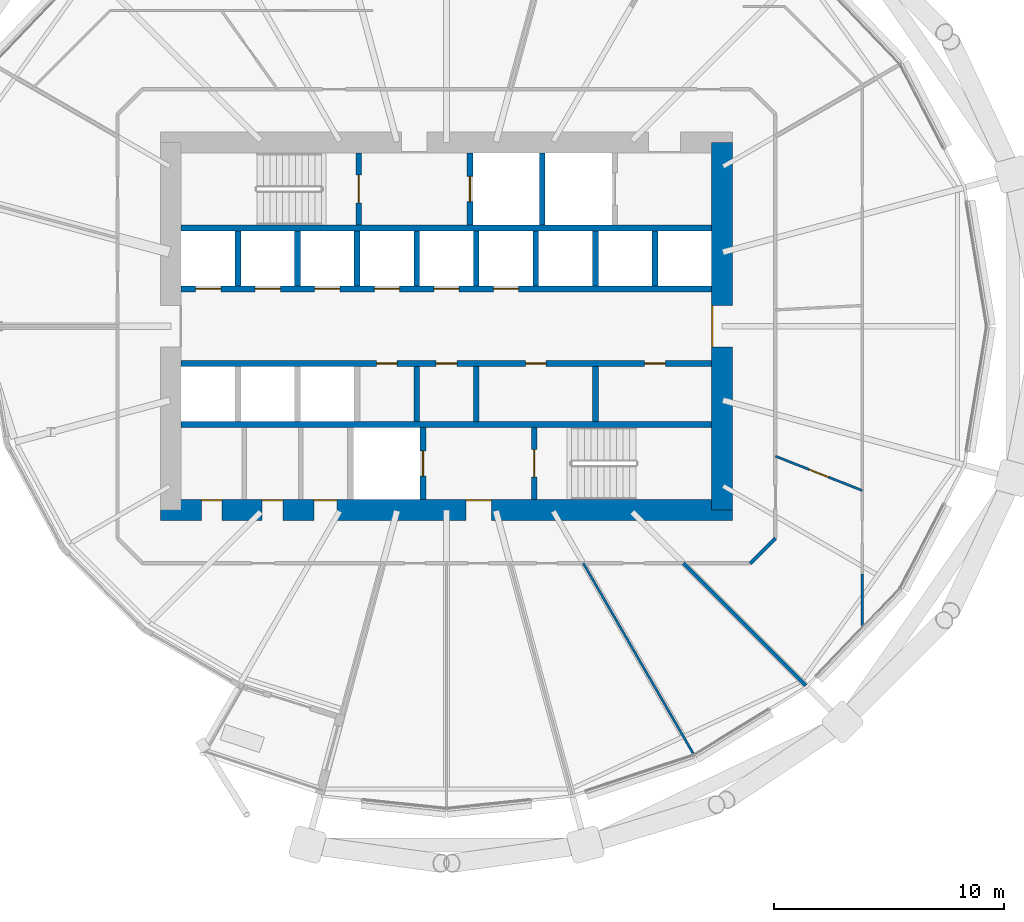
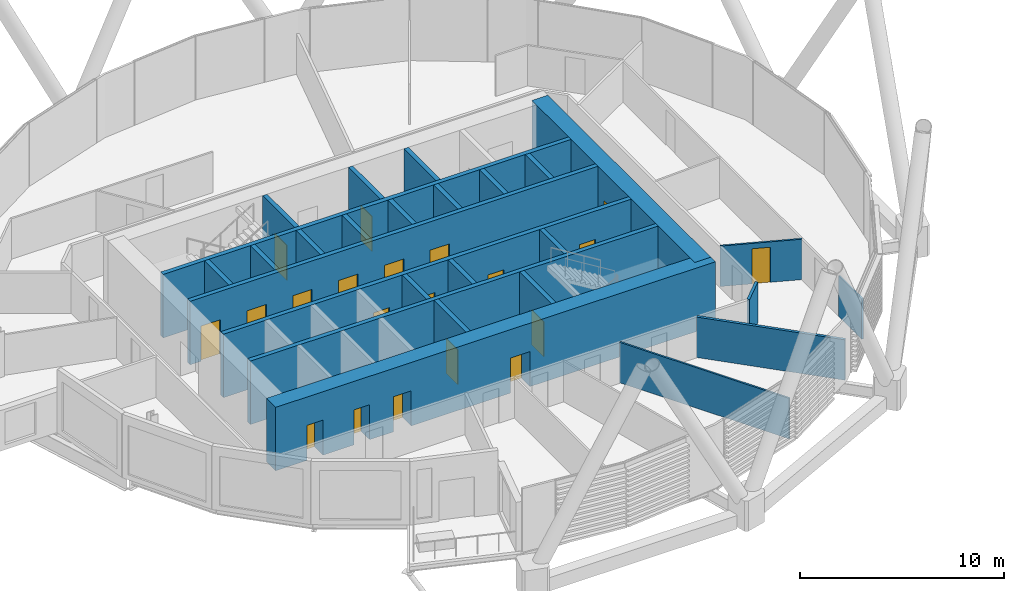
# One storey, part 21 of 36: 27 walls, 20 doors, 20 openings.
"""IFC4 building model written with IfcOpenShell, lengths in metres."""

from ifc_helpers import new_model, si_unit, direction, frame, frame_2d, origin, place, context, subcontext, project, spatial, rectangle, extrude, material, layer, layer_set, type_object, element, fill, save


model = new_model("IFC4")

# Units and contexts
model_context = context("Model", 3, precision=1e-05, world=origin(), true_north=direction((0.0, 1.0)))
body_context = subcontext(model_context, "Body", "Model", "MODEL_VIEW")
ifc_project = project(units=[si_unit("LENGTHUNIT", "METRE"), si_unit("AREAUNIT", "SQUARE_METRE"), si_unit("VOLUMEUNIT", "CUBIC_METRE"), si_unit("PLANEANGLEUNIT", "RADIAN"), si_unit("MASSUNIT", "GRAM", prefix="KILO")], contexts=[model_context])

# Site, building, storey
site_placement = place(None, origin())
site = spatial("IfcSite", under=ifc_project, at=site_placement, CompositionType="ELEMENT")
building_placement = place(site_placement, origin())
building = spatial("IfcBuilding", under=site, at=building_placement, Name="Rimbun Link Towers", CompositionType="ELEMENT")
storey_placement = place(building_placement, frame((0.0, 0.0, 64.199951171875)))
storey = spatial("IfcBuildingStorey", under=building, at=storey_placement, Name="L15", CompositionType="ELEMENT", Elevation=64.199951171875)

# Wall, openings, doors
ifc_material_1 = material(Name="Concrete C60/75", Category="concrete")
ifc_layer_1 = layer(ifc_material_1, 0.89990234375)
ifc_layer_set_1 = layer_set([ifc_layer_1], Name="Core shear wall 900")
wall_type_1 = type_object("IfcWallType", Name="Core shear wall 900", PredefinedType="SHEAR", material=ifc_layer_set_1)
wall_1_placement = place(storey_placement, frame((-44.199951171875, -8.0, 0.0), z_axis=(0.0, 0.0, 1.0), x_axis=(1.0, 0.0, 0.0)))
wall_1 = element("IfcWall", 1, at=wall_1_placement, inside=storey, type_object=wall_type_1, Name="L15 T1 core wall S", PredefinedType="SHEAR", context=body_context, shape_type="SweptSolid", body=[
    extrude(rectangle(XDim=24.89990234375, YDim=0.89990234375, at=frame_2d((12.449951171875, 0.0))), origin(), (0.0, 0.0, 1.0), 3.800048828125),
])
opening_1_placement = place(wall_1_placement, frame((13.300048828125, 0.0, 0.0)))
opening_1 = element("IfcOpeningElement", 2, at=opening_1_placement, cuts=wall_1, Name="Opening C1DCF01S", PredefinedType="OPENING", context=body_context, shape_type="SweptSolid", body=[
    extrude(rectangle(XDim=1.10009765625, YDim=2.10009765625, at=frame_2d((0.550048828125, 1.050048828125))), frame((0.0, 0.4599609375, 0.0), z_axis=(0.0, -1.0, 0.0), x_axis=(1.0, 0.0, 0.0)), (0.0, 0.0, 1.0), 0.919921875),
])
opening_2_placement = place(wall_1_placement, frame((1.77490234375, 0.0, 0.0)))
opening_2 = element("IfcOpeningElement", 3, at=opening_2_placement, cuts=wall_1, Name="Opening C1DWC02S", PredefinedType="OPENING", context=body_context, shape_type="SweptSolid", body=[
    extrude(rectangle(XDim=0.89990234375, YDim=2.10009765625, at=frame_2d((0.449951171875, 1.050048828125))), frame((0.0, 0.4599609375, 0.0), z_axis=(0.0, -1.0, 0.0), x_axis=(1.0, 0.0, 0.0)), (0.0, 0.0, 1.0), 0.919921875),
])
opening_3_placement = place(wall_1_placement, frame((4.425048828125, 0.0, 0.0)))
opening_3 = element("IfcOpeningElement", 4, at=opening_3_placement, cuts=wall_1, Name="Opening C1DWC03S", PredefinedType="OPENING", context=body_context, shape_type="SweptSolid", body=[
    extrude(rectangle(XDim=0.89990234375, YDim=2.10009765625, at=frame_2d((0.449951171875, 1.050048828125))), frame((0.0, 0.4599609375, 0.0), z_axis=(0.0, -1.0, 0.0), x_axis=(1.0, 0.0, 0.0)), (0.0, 0.0, 1.0), 0.919921875),
])
opening_4_placement = place(wall_1_placement, frame((6.675048828125, 0.0, 0.0)))
opening_4 = element("IfcOpeningElement", 5, at=opening_4_placement, cuts=wall_1, Name="Opening C1DAW04S", PredefinedType="OPENING", context=body_context, shape_type="SweptSolid", body=[
    extrude(rectangle(XDim=1.0, YDim=2.10009765625, at=frame_2d((0.5, 1.050048828125))), frame((0.0, 0.4599609375, 0.0), z_axis=(0.0, -1.0, 0.0), x_axis=(1.0, 0.0, 0.0)), (0.0, 0.0, 1.0), 0.919921875),
])
ifc_material_2 = material(Name="Timber", Category="wood")
door_type_1 = type_object("IfcDoorType", Name="Accessible WC door", OperationType="SINGLE_SWING_LEFT", PredefinedType="DOOR", material=ifc_material_2)
door_1_placement = place(opening_4_placement, origin())
door_1 = element("IfcDoor", 6, at=door_1_placement, inside=storey, type_object=door_type_1, Name="L15 T1 accessible wc door", OperationType="SINGLE_SWING_RIGHT", OverallHeight=2.10009765625, OverallWidth=1.0, PredefinedType="DOOR", context=body_context, shape_type="SweptSolid", body=[
    extrude(rectangle(XDim=1.0, YDim=2.10009765625, at=frame_2d((0.5, 1.050048828125))), frame((0.0, 0.4501953125, 0.0), z_axis=(0.0, -1.0, 0.0), x_axis=(1.0, 0.0, 0.0)), (0.0, 0.0, 1.0), 0.050048828125),
])
fill(opening_4, door_1)
ifc_material_3 = material(Name="Steel fire door set", Category="steel")
door_type_2 = type_object("IfcDoorType", Name="Core fire door single", OperationType="SINGLE_SWING_LEFT", PredefinedType="DOOR", material=ifc_material_3)
door_2_placement = place(opening_1_placement, origin())
door_2 = element("IfcDoor", 7, at=door_2_placement, inside=storey, type_object=door_type_2, Name="L15 T1 firefighting lobby s door", OperationType="SINGLE_SWING_RIGHT", OverallHeight=2.10009765625, OverallWidth=1.10009765625, PredefinedType="DOOR", context=body_context, shape_type="SweptSolid", body=[
    extrude(rectangle(XDim=1.10009765625, YDim=2.10009765625, at=frame_2d((0.550048828125, 1.050048828125))), frame((0.0, 0.4501953125, 0.0), z_axis=(0.0, -1.0, 0.0), x_axis=(1.0, 0.0, 0.0)), (0.0, 0.0, 1.0), 0.050048828125),
])
fill(opening_1, door_2)
ifc_material_4 = material(Name="Timber", Category="wood")
door_type_3 = type_object("IfcDoorType", Name="WC door", OperationType="SINGLE_SWING_LEFT", PredefinedType="DOOR", material=ifc_material_4)
door_3_placement = place(opening_2_placement, origin())
door_3 = element("IfcDoor", 8, at=door_3_placement, inside=storey, type_object=door_type_3, Name="L15 T1 male wc door", OperationType="SINGLE_SWING_RIGHT", OverallHeight=2.10009765625, OverallWidth=0.89990234375, PredefinedType="DOOR", context=body_context, shape_type="SweptSolid", body=[
    extrude(rectangle(XDim=0.89990234375, YDim=2.10009765625, at=frame_2d((0.449951171875, 1.050048828125))), frame((0.0, 0.4501953125, 0.0), z_axis=(0.0, -1.0, 0.0), x_axis=(1.0, 0.0, 0.0)), (0.0, 0.0, 1.0), 0.050048828125),
])
fill(opening_2, door_3)
door_4_placement = place(opening_3_placement, origin())
door_4 = element("IfcDoor", 9, at=door_4_placement, inside=storey, type_object=door_type_3, Name="L15 T1 female wc door", OperationType="SINGLE_SWING_RIGHT", OverallHeight=2.10009765625, OverallWidth=0.89990234375, PredefinedType="DOOR", context=body_context, shape_type="SweptSolid", body=[
    extrude(rectangle(XDim=0.89990234375, YDim=2.10009765625, at=frame_2d((0.449951171875, 1.050048828125))), frame((0.0, 0.4501953125, 0.0), z_axis=(0.0, -1.0, 0.0), x_axis=(1.0, 0.0, 0.0)), (0.0, 0.0, 1.0), 0.050048828125),
])
fill(opening_3, door_4)

# Wall, opening, door
wall_2_placement = place(storey_placement, frame((-19.75, -8.0, 0.0), z_axis=(0.0, 0.0, 1.0), x_axis=(0.0, 1.0, 0.0)))
wall_2 = element("IfcWall", 10, at=wall_2_placement, inside=storey, type_object=wall_type_1, Name="L15 T1 core wall E", PredefinedType="SHEAR", context=body_context, shape_type="SweptSolid", body=[
    extrude(rectangle(XDim=16.0, YDim=0.89990234375, at=frame_2d((8.0, 0.0))), origin(), (0.0, 0.0, 1.0), 3.800048828125),
])
opening_5_placement = place(wall_2_placement, frame((7.10009765625, 0.0, 0.0)))
opening_5 = element("IfcOpeningElement", 11, at=opening_5_placement, cuts=wall_2, Name="Opening C1DCL01E", PredefinedType="OPENING", context=body_context, shape_type="SweptSolid", body=[
    extrude(rectangle(XDim=1.800048828125, YDim=2.10009765625, at=frame_2d((0.89990234375, 1.050048828125))), frame((0.0, 0.4599609375, 0.0), z_axis=(0.0, -1.0, 0.0), x_axis=(1.0, 0.0, 0.0)), (0.0, 0.0, 1.0), 0.919921875),
])
ifc_material_5 = material(Name="Steel fire door set", Category="steel")
door_type_4 = type_object("IfcDoorType", Name="Core lobby door double", OperationType="DOUBLE_DOOR_SINGLE_SWING", PredefinedType="DOOR", material=ifc_material_5)
door_5_placement = place(opening_5_placement, origin())
door_5 = element("IfcDoor", 12, at=door_5_placement, inside=storey, type_object=door_type_4, Name="L15 T1 lift lobby door", OperationType="DOUBLE_DOOR_SINGLE_SWING", OverallHeight=2.10009765625, OverallWidth=1.800048828125, PredefinedType="DOOR", context=body_context, shape_type="SweptSolid", body=[
    extrude(rectangle(XDim=1.800048828125, YDim=2.10009765625, at=frame_2d((0.89990234375, 1.050048828125))), frame((0.0, 0.4501953125, 0.0), z_axis=(0.0, -1.0, 0.0), x_axis=(1.0, 0.0, 0.0)), (0.0, 0.0, 1.0), 0.050048828125),
])
fill(opening_5, door_5)

# Walls
ifc_material_6 = material(Name="Plasterboard on steel stud, mineral wool", Category="steel")
ifc_layer_2 = layer(ifc_material_6, 0.14990234375)
ifc_layer_set_2 = layer_set([ifc_layer_2], Name="Corridor wall EI 30 150 mm")
wall_type_2 = type_object("IfcWallType", Name="Corridor wall EI 30 150 mm", PredefinedType="PARTITIONING", material=ifc_layer_set_2)
wall_3_placement = place(storey_placement, frame((-18.523193359375, -10.324951171875, 0.0), z_axis=(0.0, 0.0, 1.0), x_axis=(0.707106781187, 0.707106781187, 0.0)))
element("IfcWall", 13, at=wall_3_placement, inside=storey, type_object=wall_type_2, Name="Corridor wall EI 30 150 mm", PredefinedType="PARTITIONING", context=body_context, shape_type="SweptSolid", body=[
    extrude(rectangle(XDim=1.552978515625, YDim=0.14990234375, at=frame_2d((0.7763671875, 0.0))), origin(), (0.0, 0.0, 1.0), 2.420166015625),
])
ifc_material_7 = material(Name="Plasterboard on steel stud", Category="steel")
ifc_layer_3 = layer(ifc_material_7, 0.10009765625)
ifc_layer_set_3 = layer_set([ifc_layer_3], Name="Plasterboard partition 100 mm")
wall_type_3 = type_object("IfcWallType", Name="Plasterboard partition 100 mm", PredefinedType="PARTITIONING", material=ifc_layer_set_3)
wall_4_placement = place(storey_placement, frame((-20.985107421875, -18.6455078125, 0.0), z_axis=(0.0, 0.0, 1.0), x_axis=(-0.499987144685, 0.866032825677, 0.0)))
element("IfcWall", 14, at=wall_4_placement, inside=storey, type_object=wall_type_3, Name="Plasterboard partition 100 mm", PredefinedType="PARTITIONING", context=body_context, shape_type="SweptSolid", body=[
    extrude(rectangle(XDim=9.607666015625, YDim=0.10009765625, at=frame_2d((4.8037109375, 0.0))), origin(), (0.0, 0.0, 1.0), 2.420166015625),
])

# Wall, opening, door
wall_5_placement = place(storey_placement, frame((-17.425048828125, -5.65966796875, 0.0), z_axis=(0.0, 0.0, 1.0), x_axis=(0.930046668, -0.367441417565, 0.0)))
wall_5 = element("IfcWall", 15, at=wall_5_placement, inside=storey, type_object=wall_type_3, Name="Plasterboard partition 100 mm", PredefinedType="PARTITIONING", context=body_context, shape_type="SweptSolid", body=[
    extrude(rectangle(XDim=4.064453125, YDim=0.10009765625, at=frame_2d((2.0322265625, 0.0))), origin(), (0.0, 0.0, 1.0), 2.420166015625),
])
opening_6_placement = place(wall_5_placement, frame((1.582275390625, 0.0, 0.0)))
opening_6 = element("IfcOpeningElement", 16, at=opening_6_placement, cuts=wall_5, Name="Opening D04", PredefinedType="OPENING", context=body_context, shape_type="SweptSolid", body=[
    extrude(rectangle(XDim=0.89990234375, YDim=2.10009765625, at=frame_2d((0.449951171875, 1.050048828125))), frame((0.0, 0.06005859375, 0.0), z_axis=(0.0, -1.0, 0.0), x_axis=(1.0, 0.0, 0.0)), (0.0, 0.0, 1.0), 0.1201171875),
])
ifc_material_8 = material(Name="Timber door leaf", Category="wood")
door_type_5 = type_object("IfcDoorType", Name="Flush door 900", OperationType="NOTDEFINED", PredefinedType="DOOR", material=ifc_material_8)
door_6_placement = place(opening_6_placement, origin())
door_6 = element("IfcDoor", 17, at=door_6_placement, inside=storey, type_object=door_type_5, Name="Flush door 900 to Interview room", OperationType="SINGLE_SWING_LEFT", OverallHeight=2.10009765625, OverallWidth=0.89990234375, PredefinedType="DOOR", context=body_context, shape_type="SweptSolid", body=[
    extrude(rectangle(XDim=0.89990234375, YDim=2.10009765625, at=frame_2d((0.449951171875, 1.050048828125))), frame((0.0, 0.02490234375, 0.0), z_axis=(0.0, -1.0, 0.0), x_axis=(1.0, 0.0, 0.0)), (0.0, 0.0, 1.0), 0.050048828125),
])
fill(opening_6, door_6)

# Walls
wall_6_placement = place(storey_placement, frame((-13.64501953125, -13.084228515625, 0.0), z_axis=(0.0, 0.0, 1.0), x_axis=(0.0, 1.0, 0.0)))
element("IfcWall", 18, at=wall_6_placement, inside=storey, type_object=wall_type_3, Name="Plasterboard partition 100 mm", PredefinedType="PARTITIONING", context=body_context, shape_type="SweptSolid", body=[
    extrude(rectangle(XDim=2.291748046875, YDim=0.10009765625, at=frame_2d((1.14599609375, 0.0))), origin(), (0.0, 0.0, 1.0), 2.420166015625),
])
ifc_material_9 = material(Name="Concrete C60/75", Category="concrete")
ifc_layer_4 = layer(ifc_material_9, 0.25)
ifc_layer_set_4 = layer_set([ifc_layer_4], Name="Shaft wall 250")
wall_type_4 = type_object("IfcWallType", Name="Shaft wall 250", PredefinedType="SHEAR", material=ifc_layer_set_4)
for number, where, z_axis, x_axis, name in (
    (19, (-43.300048828125, 4.27490234375, 0.0), (0.0, 0.0, 1.0), (1.0, 0.0, 0.0), "L15 T1 core wall BN"),
    (20, (-43.300048828125, -4.27490234375, 0.0), (0.0, 0.0, 1.0), (1.0, 0.0, 0.0), "L15 T1 core wall BS"),
):
    element("IfcWall", number, at=place(storey_placement, frame(where, z_axis=z_axis, x_axis=x_axis)), inside=storey, type_object=wall_type_4, Name=name, PredefinedType="SHEAR", context=body_context, shape_type="SweptSolid", body=[
        extrude(rectangle(XDim=23.10009765625, YDim=0.25, at=frame_2d((11.550048828125, 0.0))), origin(), (0.0, 0.0, 1.0), 3.800048828125),
    ])

# Wall, openings, doors
wall_7_placement = place(storey_placement, frame((-43.300048828125, 1.625, 0.0), z_axis=(0.0, 0.0, 1.0), x_axis=(1.0, 0.0, 0.0)))
wall_7 = element("IfcWall", 21, at=wall_7_placement, inside=storey, type_object=wall_type_4, Name="L15 T1 core wall FN", PredefinedType="SHEAR", context=body_context, shape_type="SweptSolid", body=[
    extrude(rectangle(XDim=23.10009765625, YDim=0.25, at=frame_2d((11.550048828125, 0.0))), origin(), (0.0, 0.0, 1.0), 3.800048828125),
])
opening_7_placement = place(wall_7_placement, frame((0.622314453125, 0.0, 0.0)))
opening_7 = element("IfcOpeningElement", 22, at=opening_7_placement, cuts=wall_7, Name="Opening LD-T1-LR1", PredefinedType="OPENING", context=body_context, shape_type="SweptSolid", body=[
    extrude(rectangle(XDim=1.10009765625, YDim=2.10009765625, at=frame_2d((0.550048828125, 1.050048828125))), frame((0.0, 0.135009765625, 0.0), z_axis=(0.0, -1.0, 0.0), x_axis=(1.0, 0.0, 0.0)), (0.0, 0.0, 1.0), 0.27001953125),
])
opening_8_placement = place(wall_7_placement, frame((3.216796875, 0.0, 0.0)))
opening_8 = element("IfcOpeningElement", 23, at=opening_8_placement, cuts=wall_7, Name="Opening LD-T1-LR2", PredefinedType="OPENING", context=body_context, shape_type="SweptSolid", body=[
    extrude(rectangle(XDim=1.10009765625, YDim=2.10009765625, at=frame_2d((0.550048828125, 1.050048828125))), frame((0.0, 0.135009765625, 0.0), z_axis=(0.0, -1.0, 0.0), x_axis=(1.0, 0.0, 0.0)), (0.0, 0.0, 1.0), 0.27001953125),
])
opening_9_placement = place(wall_7_placement, frame((5.81103515625, 0.0, 0.0)))
opening_9 = element("IfcOpeningElement", 24, at=opening_9_placement, cuts=wall_7, Name="Opening LD-T1-LR3", PredefinedType="OPENING", context=body_context, shape_type="SweptSolid", body=[
    extrude(rectangle(XDim=1.10009765625, YDim=2.10009765625, at=frame_2d((0.550048828125, 1.050048828125))), frame((0.0, 0.135009765625, 0.0), z_axis=(0.0, -1.0, 0.0), x_axis=(1.0, 0.0, 0.0)), (0.0, 0.0, 1.0), 0.27001953125),
])
opening_10_placement = place(wall_7_placement, frame((8.405517578125, 0.0, 0.0)))
opening_10 = element("IfcOpeningElement", 25, at=opening_10_placement, cuts=wall_7, Name="Opening LD-T1-LR4", PredefinedType="OPENING", context=body_context, shape_type="SweptSolid", body=[
    extrude(rectangle(XDim=1.10009765625, YDim=2.10009765625, at=frame_2d((0.550048828125, 1.050048828125))), frame((0.0, 0.135009765625, 0.0), z_axis=(0.0, -1.0, 0.0), x_axis=(1.0, 0.0, 0.0)), (0.0, 0.0, 1.0), 0.27001953125),
])
opening_11_placement = place(wall_7_placement, frame((11.0, 0.0, 0.0)))
opening_11 = element("IfcOpeningElement", 26, at=opening_11_placement, cuts=wall_7, Name="Opening LD-T1-LR5", PredefinedType="OPENING", context=body_context, shape_type="SweptSolid", body=[
    extrude(rectangle(XDim=1.10009765625, YDim=2.10009765625, at=frame_2d((0.550048828125, 1.050048828125))), frame((0.0, 0.135009765625, 0.0), z_axis=(0.0, -1.0, 0.0), x_axis=(1.0, 0.0, 0.0)), (0.0, 0.0, 1.0), 0.27001953125),
])
opening_12_placement = place(wall_7_placement, frame((13.594482421875, 0.0, 0.0)))
opening_12 = element("IfcOpeningElement", 27, at=opening_12_placement, cuts=wall_7, Name="Opening LD-T1-LR6", PredefinedType="OPENING", context=body_context, shape_type="SweptSolid", body=[
    extrude(rectangle(XDim=1.10009765625, YDim=2.10009765625, at=frame_2d((0.550048828125, 1.050048828125))), frame((0.0, 0.135009765625, 0.0), z_axis=(0.0, -1.0, 0.0), x_axis=(1.0, 0.0, 0.0)), (0.0, 0.0, 1.0), 0.27001953125),
])
ifc_material_10 = material(Name="Stainless steel grade 316", Category="steel")
door_type_6 = type_object("IfcDoorType", Name="Lift landing door", OperationType="DOUBLE_DOOR_SLIDING", PredefinedType="DOOR", material=ifc_material_10)
door_7_placement = place(opening_7_placement, origin())
door_7 = element("IfcDoor", 28, at=door_7_placement, inside=storey, type_object=door_type_6, Name="L15 T1 lift LR1 landing door", OperationType="DOUBLE_DOOR_SLIDING", OverallHeight=2.10009765625, OverallWidth=1.10009765625, PredefinedType="DOOR", context=body_context, shape_type="SweptSolid", body=[
    extrude(rectangle(XDim=1.10009765625, YDim=2.10009765625, at=frame_2d((0.550048828125, 1.050048828125))), frame((0.0, 0.02490234375, 0.0), z_axis=(0.0, -1.0, 0.0), x_axis=(1.0, 0.0, 0.0)), (0.0, 0.0, 1.0), 0.050048828125),
])
fill(opening_7, door_7)
door_8_placement = place(opening_8_placement, origin())
door_8 = element("IfcDoor", 29, at=door_8_placement, inside=storey, type_object=door_type_6, Name="L15 T1 lift LR2 landing door", OperationType="DOUBLE_DOOR_SLIDING", OverallHeight=2.10009765625, OverallWidth=1.10009765625, PredefinedType="DOOR", context=body_context, shape_type="SweptSolid", body=[
    extrude(rectangle(XDim=1.10009765625, YDim=2.10009765625, at=frame_2d((0.550048828125, 1.050048828125))), frame((0.0, 0.02490234375, 0.0), z_axis=(0.0, -1.0, 0.0), x_axis=(1.0, 0.0, 0.0)), (0.0, 0.0, 1.0), 0.050048828125),
])
fill(opening_8, door_8)
door_9_placement = place(opening_9_placement, origin())
door_9 = element("IfcDoor", 30, at=door_9_placement, inside=storey, type_object=door_type_6, Name="L15 T1 lift LR3 landing door", OperationType="DOUBLE_DOOR_SLIDING", OverallHeight=2.10009765625, OverallWidth=1.10009765625, PredefinedType="DOOR", context=body_context, shape_type="SweptSolid", body=[
    extrude(rectangle(XDim=1.10009765625, YDim=2.10009765625, at=frame_2d((0.550048828125, 1.050048828125))), frame((0.0, 0.02490234375, 0.0), z_axis=(0.0, -1.0, 0.0), x_axis=(1.0, 0.0, 0.0)), (0.0, 0.0, 1.0), 0.050048828125),
])
fill(opening_9, door_9)
door_10_placement = place(opening_10_placement, origin())
door_10 = element("IfcDoor", 31, at=door_10_placement, inside=storey, type_object=door_type_6, Name="L15 T1 lift LR4 landing door", OperationType="DOUBLE_DOOR_SLIDING", OverallHeight=2.10009765625, OverallWidth=1.10009765625, PredefinedType="DOOR", context=body_context, shape_type="SweptSolid", body=[
    extrude(rectangle(XDim=1.10009765625, YDim=2.10009765625, at=frame_2d((0.550048828125, 1.050048828125))), frame((0.0, 0.02490234375, 0.0), z_axis=(0.0, -1.0, 0.0), x_axis=(1.0, 0.0, 0.0)), (0.0, 0.0, 1.0), 0.050048828125),
])
fill(opening_10, door_10)
door_11_placement = place(opening_11_placement, origin())
door_11 = element("IfcDoor", 32, at=door_11_placement, inside=storey, type_object=door_type_6, Name="L15 T1 lift LR5 landing door", OperationType="DOUBLE_DOOR_SLIDING", OverallHeight=2.10009765625, OverallWidth=1.10009765625, PredefinedType="DOOR", context=body_context, shape_type="SweptSolid", body=[
    extrude(rectangle(XDim=1.10009765625, YDim=2.10009765625, at=frame_2d((0.550048828125, 1.050048828125))), frame((0.0, 0.02490234375, 0.0), z_axis=(0.0, -1.0, 0.0), x_axis=(1.0, 0.0, 0.0)), (0.0, 0.0, 1.0), 0.050048828125),
])
fill(opening_11, door_11)
door_12_placement = place(opening_12_placement, origin())
door_12 = element("IfcDoor", 33, at=door_12_placement, inside=storey, type_object=door_type_6, Name="L15 T1 lift LR6 landing door", OperationType="DOUBLE_DOOR_SLIDING", OverallHeight=2.10009765625, OverallWidth=1.10009765625, PredefinedType="DOOR", context=body_context, shape_type="SweptSolid", body=[
    extrude(rectangle(XDim=1.10009765625, YDim=2.10009765625, at=frame_2d((0.550048828125, 1.050048828125))), frame((0.0, 0.02490234375, 0.0), z_axis=(0.0, -1.0, 0.0), x_axis=(1.0, 0.0, 0.0)), (0.0, 0.0, 1.0), 0.050048828125),
])
fill(opening_12, door_12)

wall_8_placement = place(storey_placement, frame((-43.300048828125, -1.625, 0.0), z_axis=(0.0, 0.0, 1.0), x_axis=(1.0, 0.0, 0.0)))
wall_8 = element("IfcWall", 34, at=wall_8_placement, inside=storey, type_object=wall_type_4, Name="L15 T1 core wall FS", PredefinedType="SHEAR", context=body_context, shape_type="SweptSolid", body=[
    extrude(rectangle(XDim=23.10009765625, YDim=0.25, at=frame_2d((11.550048828125, 0.0))), origin(), (0.0, 0.0, 1.0), 3.800048828125),
])
opening_13_placement = place(wall_8_placement, frame((8.505615234375, 0.0, 0.0)))
opening_13 = element("IfcOpeningElement", 35, at=opening_13_placement, cuts=wall_8, Name="Opening C1DRS01FS", PredefinedType="OPENING", context=body_context, shape_type="SweptSolid", body=[
    extrude(rectangle(XDim=0.89990234375, YDim=2.10009765625, at=frame_2d((0.449951171875, 1.050048828125))), frame((0.0, 0.135009765625, 0.0), z_axis=(0.0, -1.0, 0.0), x_axis=(1.0, 0.0, 0.0)), (0.0, 0.0, 1.0), 0.27001953125),
])
opening_14_placement = place(wall_8_placement, frame((11.10009765625, 0.0, 0.0)))
opening_14 = element("IfcOpeningElement", 36, at=opening_14_placement, cuts=wall_8, Name="Opening C1DRS02FS", PredefinedType="OPENING", context=body_context, shape_type="SweptSolid", body=[
    extrude(rectangle(XDim=0.89990234375, YDim=2.10009765625, at=frame_2d((0.449951171875, 1.050048828125))), frame((0.0, 0.135009765625, 0.0), z_axis=(0.0, -1.0, 0.0), x_axis=(1.0, 0.0, 0.0)), (0.0, 0.0, 1.0), 0.27001953125),
])
opening_15_placement = place(wall_8_placement, frame((14.99169921875, 0.0, 0.0)))
opening_15 = element("IfcOpeningElement", 37, at=opening_15_placement, cuts=wall_8, Name="Opening C1DRS03FS", PredefinedType="OPENING", context=body_context, shape_type="SweptSolid", body=[
    extrude(rectangle(XDim=0.89990234375, YDim=2.10009765625, at=frame_2d((0.449951171875, 1.050048828125))), frame((0.0, 0.135009765625, 0.0), z_axis=(0.0, -1.0, 0.0), x_axis=(1.0, 0.0, 0.0)), (0.0, 0.0, 1.0), 0.27001953125),
])
opening_16_placement = place(wall_8_placement, frame((20.1806640625, 0.0, 0.0)))
opening_16 = element("IfcOpeningElement", 38, at=opening_16_placement, cuts=wall_8, Name="Opening C1DRS04FS", PredefinedType="OPENING", context=body_context, shape_type="SweptSolid", body=[
    extrude(rectangle(XDim=0.89990234375, YDim=2.10009765625, at=frame_2d((0.449951171875, 1.050048828125))), frame((0.0, 0.135009765625, 0.0), z_axis=(0.0, -1.0, 0.0), x_axis=(1.0, 0.0, 0.0)), (0.0, 0.0, 1.0), 0.27001953125),
])
ifc_material_11 = material(Name="Steel fire door set", Category="steel")
door_type_7 = type_object("IfcDoorType", Name="Core riser door", OperationType="SINGLE_SWING_LEFT", PredefinedType="DOOR", material=ifc_material_11)
door_13_placement = place(opening_13_placement, origin())
door_13 = element("IfcDoor", 39, at=door_13_placement, inside=storey, type_object=door_type_7, Name="L15 T1 pantry door", OperationType="SINGLE_SWING_LEFT", OverallHeight=2.10009765625, OverallWidth=0.89990234375, PredefinedType="DOOR", context=body_context, shape_type="SweptSolid", body=[
    extrude(rectangle(XDim=0.89990234375, YDim=2.10009765625, at=frame_2d((0.449951171875, 1.050048828125))), frame((0.0, 0.02490234375, 0.0), z_axis=(0.0, -1.0, 0.0), x_axis=(1.0, 0.0, 0.0)), (0.0, 0.0, 1.0), 0.050048828125),
])
fill(opening_13, door_13)
door_14_placement = place(opening_14_placement, origin())
door_14 = element("IfcDoor", 40, at=door_14_placement, inside=storey, type_object=door_type_7, Name="L15 T1 stationery store door", OperationType="SINGLE_SWING_LEFT", OverallHeight=2.10009765625, OverallWidth=0.89990234375, PredefinedType="DOOR", context=body_context, shape_type="SweptSolid", body=[
    extrude(rectangle(XDim=0.89990234375, YDim=2.10009765625, at=frame_2d((0.449951171875, 1.050048828125))), frame((0.0, 0.02490234375, 0.0), z_axis=(0.0, -1.0, 0.0), x_axis=(1.0, 0.0, 0.0)), (0.0, 0.0, 1.0), 0.050048828125),
])
fill(opening_14, door_14)
door_15_placement = place(opening_15_placement, origin())
door_15 = element("IfcDoor", 41, at=door_15_placement, inside=storey, type_object=door_type_7, Name="L15 T1 server room door", OperationType="SINGLE_SWING_RIGHT", OverallHeight=2.10009765625, OverallWidth=0.89990234375, PredefinedType="DOOR", context=body_context, shape_type="SweptSolid", body=[
    extrude(rectangle(XDim=0.89990234375, YDim=2.10009765625, at=frame_2d((0.449951171875, 1.050048828125))), frame((0.0, 0.02490234375, 0.0), z_axis=(0.0, -1.0, 0.0), x_axis=(1.0, 0.0, 0.0)), (0.0, 0.0, 1.0), 0.050048828125),
])
fill(opening_15, door_15)
door_16_placement = place(opening_16_placement, origin())
door_16 = element("IfcDoor", 42, at=door_16_placement, inside=storey, type_object=door_type_7, Name="L15 T1 print room door", OperationType="SINGLE_SWING_LEFT", OverallHeight=2.10009765625, OverallWidth=0.89990234375, PredefinedType="DOOR", context=body_context, shape_type="SweptSolid", body=[
    extrude(rectangle(XDim=0.89990234375, YDim=2.10009765625, at=frame_2d((0.449951171875, 1.050048828125))), frame((0.0, 0.02490234375, 0.0), z_axis=(0.0, -1.0, 0.0), x_axis=(1.0, 0.0, 0.0)), (0.0, 0.0, 1.0), 0.050048828125),
])
fill(opening_16, door_16)

# Walls
for number, where, z_axis, x_axis, name in (
    (43, (-40.83056640625, 1.75, 0.0), (0.0, 0.0, 1.0), (0.0, 1.0, 0.0), "L15 T1 core wall DN0"),
    (44, (-38.236083984375, 1.75, 0.0), (0.0, 0.0, 1.0), (0.0, 1.0, 0.0), "L15 T1 core wall DN1"),
    (45, (-35.6416015625, 1.75, 0.0), (0.0, 0.0, 1.0), (0.0, 1.0, 0.0), "L15 T1 core wall DN2"),
    (46, (-33.047119140625, 1.75, 0.0), (0.0, 0.0, 1.0), (0.0, 1.0, 0.0), "L15 T1 core wall DN3"),
    (47, (-30.452880859375, 1.75, 0.0), (0.0, 0.0, 1.0), (0.0, 1.0, 0.0), "L15 T1 core wall DN4"),
    (48, (-27.8583984375, 1.75, 0.0), (0.0, 0.0, 1.0), (0.0, 1.0, 0.0), "L15 T1 core wall DN5"),
    (49, (-25.263916015625, 1.75, 0.0), (0.0, 0.0, 1.0), (0.0, 1.0, 0.0), "L15 T1 core wall DN6"),
    (50, (-22.66943359375, 1.75, 0.0), (0.0, 0.0, 1.0), (0.0, 1.0, 0.0), "L15 T1 core wall DN7"),
    (51, (-33.047119140625, -4.14990234375, 0.0), (0.0, 0.0, 1.0), (0.0, 1.0, 0.0), "L15 T1 core wall DS3"),
    (52, (-30.452880859375, -4.14990234375, 0.0), (0.0, 0.0, 1.0), (0.0, 1.0, 0.0), "L15 T1 core wall DS4"),
    (53, (-25.263916015625, -4.14990234375, 0.0), (0.0, 0.0, 1.0), (0.0, 1.0, 0.0), "L15 T1 core wall DS6"),
):
    element("IfcWall", number, at=place(storey_placement, frame(where, z_axis=z_axis, x_axis=x_axis)), inside=storey, type_object=wall_type_4, Name=name, PredefinedType="SHEAR", context=body_context, shape_type="SweptSolid", body=[
        extrude(rectangle(XDim=2.39990234375, YDim=0.25, at=frame_2d((1.199951171875, 0.0))), origin(), (0.0, 0.0, 1.0), 3.800048828125),
    ])

# Wall, opening, door
wall_9_placement = place(storey_placement, frame((-35.574951171875, 4.39990234375, 0.0), z_axis=(0.0, 0.0, 1.0), x_axis=(0.0, 1.0, 0.0)))
wall_9 = element("IfcWall", 54, at=wall_9_placement, inside=storey, type_object=wall_type_4, Name="L15 T1 core wall A1", PredefinedType="SHEAR", context=body_context, shape_type="SweptSolid", body=[
    extrude(rectangle(XDim=3.150146484375, YDim=0.25, at=frame_2d((1.5751953125, 0.0))), origin(), (0.0, 0.0, 1.0), 3.800048828125),
])
opening_17_placement = place(wall_9_placement, frame((0.97509765625, 0.0, 0.0)))
opening_17 = element("IfcOpeningElement", 55, at=opening_17_placement, cuts=wall_9, Name="Opening C1DST01A1", PredefinedType="OPENING", context=body_context, shape_type="SweptSolid", body=[
    extrude(rectangle(XDim=1.199951171875, YDim=2.10009765625, at=frame_2d((0.60009765625, 1.050048828125))), frame((0.0, 0.135009765625, 0.0), z_axis=(0.0, -1.0, 0.0), x_axis=(1.0, 0.0, 0.0)), (0.0, 0.0, 1.0), 0.27001953125),
])
ifc_material_12 = material(Name="Steel fire door set", Category="steel")
door_type_8 = type_object("IfcDoorType", Name="Stair door", OperationType="SINGLE_SWING_LEFT", PredefinedType="DOOR", material=ifc_material_12)
door_17_placement = place(opening_17_placement, origin())
door_17 = element("IfcDoor", 56, at=door_17_placement, inside=storey, type_object=door_type_8, Name="L15 T1 stair a door", OperationType="SINGLE_SWING_RIGHT", OverallHeight=2.10009765625, OverallWidth=1.199951171875, PredefinedType="DOOR", context=body_context, shape_type="SweptSolid", body=[
    extrude(rectangle(XDim=1.199951171875, YDim=2.10009765625, at=frame_2d((0.60009765625, 1.050048828125))), frame((0.0, 0.02490234375, 0.0), z_axis=(0.0, -1.0, 0.0), x_axis=(1.0, 0.0, 0.0)), (0.0, 0.0, 1.0), 0.050048828125),
])
fill(opening_17, door_17)

wall_10_placement = place(storey_placement, frame((-30.72509765625, 4.39990234375, 0.0), z_axis=(0.0, 0.0, 1.0), x_axis=(0.0, 1.0, 0.0)))
wall_10 = element("IfcWall", 57, at=wall_10_placement, inside=storey, type_object=wall_type_4, Name="L15 T1 core wall A2", PredefinedType="SHEAR", context=body_context, shape_type="SweptSolid", body=[
    extrude(rectangle(XDim=3.150146484375, YDim=0.25, at=frame_2d((1.5751953125, 0.0))), origin(), (0.0, 0.0, 1.0), 3.800048828125),
])
opening_18_placement = place(wall_10_placement, frame((1.02490234375, 0.0, 0.0)))
opening_18 = element("IfcOpeningElement", 58, at=opening_18_placement, cuts=wall_10, Name="Opening LD-T1-FF1", PredefinedType="OPENING", context=body_context, shape_type="SweptSolid", body=[
    extrude(rectangle(XDim=1.10009765625, YDim=2.10009765625, at=frame_2d((0.550048828125, 1.050048828125))), frame((0.0, 0.135009765625, 0.0), z_axis=(0.0, -1.0, 0.0), x_axis=(1.0, 0.0, 0.0)), (0.0, 0.0, 1.0), 0.27001953125),
])
door_18_placement = place(opening_18_placement, origin())
door_18 = element("IfcDoor", 59, at=door_18_placement, inside=storey, type_object=door_type_6, Name="L15 T1 lift FF1 landing door", OperationType="DOUBLE_DOOR_SLIDING", OverallHeight=2.10009765625, OverallWidth=1.10009765625, PredefinedType="DOOR", context=body_context, shape_type="SweptSolid", body=[
    extrude(rectangle(XDim=1.10009765625, YDim=2.10009765625, at=frame_2d((0.550048828125, 1.050048828125))), frame((0.0, 0.02490234375, 0.0), z_axis=(0.0, -1.0, 0.0), x_axis=(1.0, 0.0, 0.0)), (0.0, 0.0, 1.0), 0.050048828125),
])
fill(opening_18, door_18)

# Wall
wall_11_placement = place(storey_placement, frame((-27.574951171875, 4.39990234375, 0.0), z_axis=(0.0, 0.0, 1.0), x_axis=(0.0, 1.0, 0.0)))
element("IfcWall", 60, at=wall_11_placement, inside=storey, type_object=wall_type_4, Name="L15 T1 core wall A3", PredefinedType="SHEAR", context=body_context, shape_type="SweptSolid", body=[
    extrude(rectangle(XDim=3.150146484375, YDim=0.25, at=frame_2d((1.5751953125, 0.0))), origin(), (0.0, 0.0, 1.0), 3.800048828125),
])

# Wall, opening, door
wall_12_placement = place(storey_placement, frame((-27.925048828125, -4.39990234375, 0.0), z_axis=(0.0, 0.0, 1.0), x_axis=(0.0, -1.0, 0.0)))
wall_12 = element("IfcWall", 61, at=wall_12_placement, inside=storey, type_object=wall_type_4, Name="L15 T1 core wall B1", PredefinedType="SHEAR", context=body_context, shape_type="SweptSolid", body=[
    extrude(rectangle(XDim=3.150146484375, YDim=0.25, at=frame_2d((1.5751953125, 0.0))), origin(), (0.0, 0.0, 1.0), 3.800048828125),
])
opening_19_placement = place(wall_12_placement, frame((0.97509765625, 0.0, 0.0)))
opening_19 = element("IfcOpeningElement", 62, at=opening_19_placement, cuts=wall_12, Name="Opening C1DST01B1", PredefinedType="OPENING", context=body_context, shape_type="SweptSolid", body=[
    extrude(rectangle(XDim=1.199951171875, YDim=2.10009765625, at=frame_2d((0.60009765625, 1.050048828125))), frame((0.0, 0.135009765625, 0.0), z_axis=(0.0, -1.0, 0.0), x_axis=(1.0, 0.0, 0.0)), (0.0, 0.0, 1.0), 0.27001953125),
])
door_19_placement = place(opening_19_placement, origin())
door_19 = element("IfcDoor", 63, at=door_19_placement, inside=storey, type_object=door_type_8, Name="L15 T1 stair b door", OperationType="SINGLE_SWING_LEFT", OverallHeight=2.10009765625, OverallWidth=1.199951171875, PredefinedType="DOOR", context=body_context, shape_type="SweptSolid", body=[
    extrude(rectangle(XDim=1.199951171875, YDim=2.10009765625, at=frame_2d((0.60009765625, 1.050048828125))), frame((0.0, 0.02490234375, 0.0), z_axis=(0.0, -1.0, 0.0), x_axis=(1.0, 0.0, 0.0)), (0.0, 0.0, 1.0), 0.050048828125),
])
fill(opening_19, door_19)

wall_13_placement = place(storey_placement, frame((-32.77490234375, -4.39990234375, 0.0), z_axis=(0.0, 0.0, 1.0), x_axis=(0.0, -1.0, 0.0)))
wall_13 = element("IfcWall", 64, at=wall_13_placement, inside=storey, type_object=wall_type_4, Name="L15 T1 core wall B2", PredefinedType="SHEAR", context=body_context, shape_type="SweptSolid", body=[
    extrude(rectangle(XDim=3.150146484375, YDim=0.25, at=frame_2d((1.5751953125, 0.0))), origin(), (0.0, 0.0, 1.0), 3.800048828125),
])
opening_20_placement = place(wall_13_placement, frame((1.02490234375, 0.0, 0.0)))
opening_20 = element("IfcOpeningElement", 65, at=opening_20_placement, cuts=wall_13, Name="Opening LD-T1-FF2", PredefinedType="OPENING", context=body_context, shape_type="SweptSolid", body=[
    extrude(rectangle(XDim=1.10009765625, YDim=2.10009765625, at=frame_2d((0.550048828125, 1.050048828125))), frame((0.0, 0.135009765625, 0.0), z_axis=(0.0, -1.0, 0.0), x_axis=(1.0, 0.0, 0.0)), (0.0, 0.0, 1.0), 0.27001953125),
])
door_20_placement = place(opening_20_placement, origin())
door_20 = element("IfcDoor", 66, at=door_20_placement, inside=storey, type_object=door_type_6, Name="L15 T1 lift FF2 landing door", OperationType="DOUBLE_DOOR_SLIDING", OverallHeight=2.10009765625, OverallWidth=1.10009765625, PredefinedType="DOOR", context=body_context, shape_type="SweptSolid", body=[
    extrude(rectangle(XDim=1.10009765625, YDim=2.10009765625, at=frame_2d((0.550048828125, 1.050048828125))), frame((0.0, 0.02490234375, 0.0), z_axis=(0.0, -1.0, 0.0), x_axis=(1.0, 0.0, 0.0)), (0.0, 0.0, 1.0), 0.050048828125),
])
fill(opening_20, door_20)

# Wall
ifc_material_13 = material(Name="Plasterboard on steel stud, mineral wool", Category="steel")
ifc_layer_5 = layer(ifc_material_13, 0.14990234375)
ifc_layer_set_5 = layer_set([ifc_layer_5], Name="Tenancy separation wall EI 60 150 mm")
wall_type_5 = type_object("IfcWallType", Name="Tenancy separation wall EI 60 150 mm", PredefinedType="PARTITIONING", material=ifc_layer_set_5)
wall_14_placement = place(storey_placement, frame((-21.425048828125, -10.324951171875, 0.0), z_axis=(0.0, 0.0, 1.0), x_axis=(0.707106781187, -0.707106781187, 0.0)))
element("IfcWall", 67, at=wall_14_placement, inside=storey, type_object=wall_type_5, Name="Tenancy separation wall EI 60 150 mm", PredefinedType="PARTITIONING", context=body_context, shape_type="SweptSolid", body=[
    extrude(rectangle(XDim=7.527587890625, YDim=0.14990234375, at=frame_2d((3.763671875, 0.0))), origin(), (0.0, 0.0, 1.0), 2.420166015625),
])

save(model, "model.ifc")
